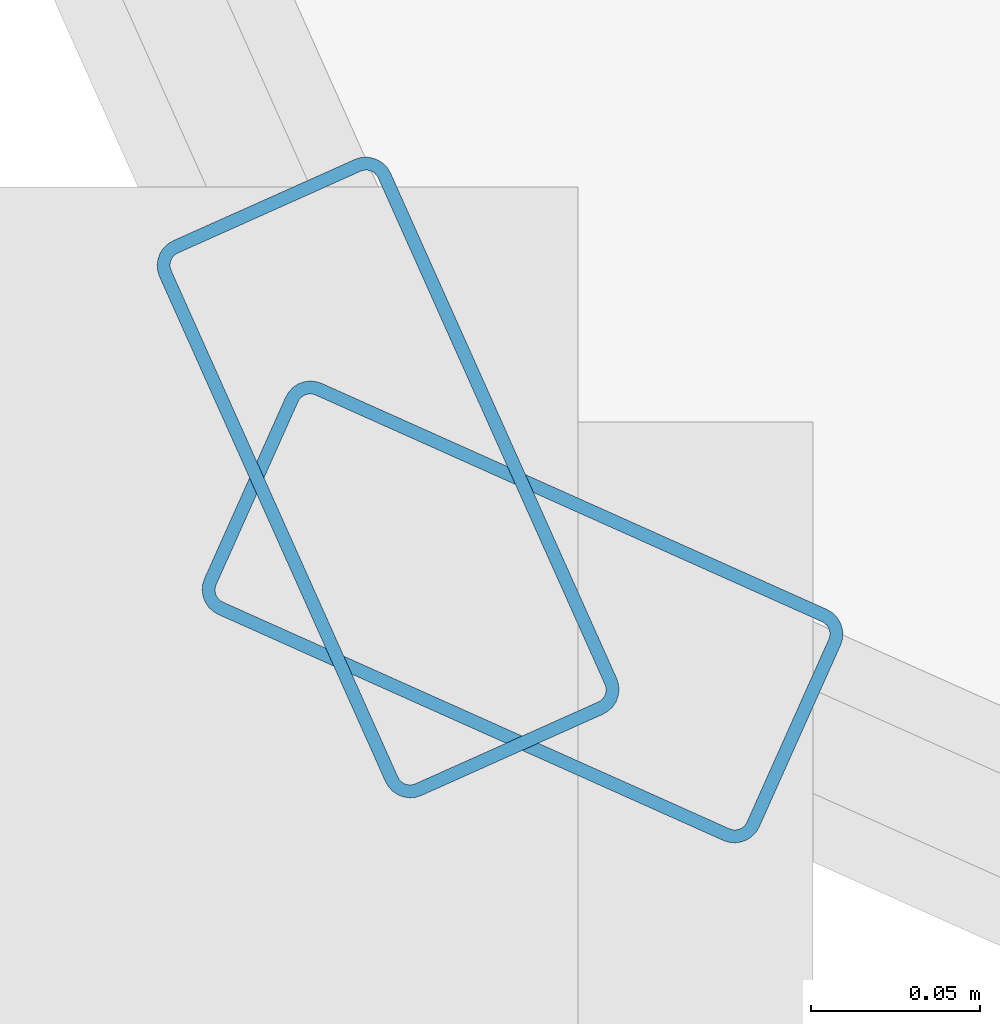
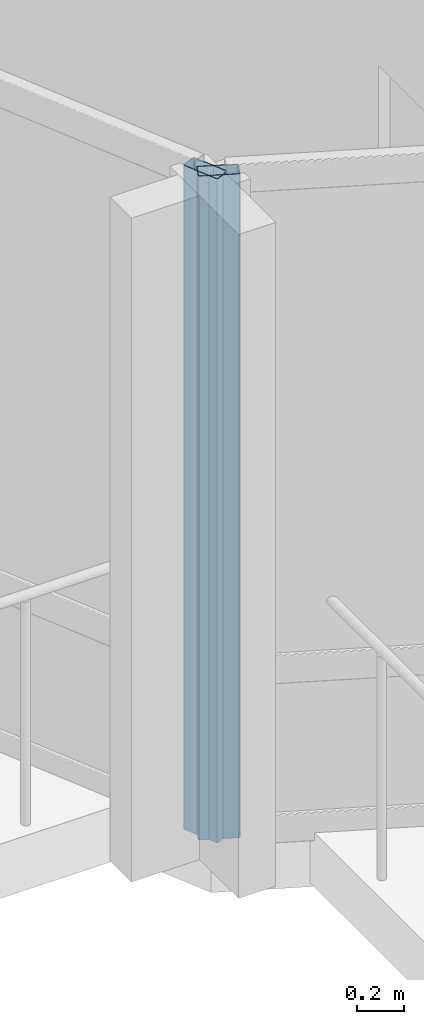
# One storey, part 2 of 19: 2 members, 2 elements without a shape of their own.
"""IFC4 building model written with IfcOpenShell, lengths in metres."""

from ifc_helpers import new_model, si_unit, direction, frame, origin, origin_2d, place, context, subcontext, project, spatial, hollow_rectangle, extrude, material, layer, layer_set, material_profile, profile_set, type_object, element, aggregate, save


model = new_model("IFC4")

# Units and contexts
model_context = context("Model", 3, precision=1e-05, world=origin(), true_north=direction((0.0, 1.0)))
body_context = subcontext(model_context, "Body", "Model", "MODEL_VIEW")
ifc_project = project(units=[si_unit("LENGTHUNIT", "METRE"), si_unit("AREAUNIT", "SQUARE_METRE"), si_unit("VOLUMEUNIT", "CUBIC_METRE"), si_unit("PLANEANGLEUNIT", "RADIAN"), si_unit("MASSUNIT", "GRAM", prefix="KILO")], contexts=[model_context])

# Site, building, storey
site_placement = place(None, origin())
site = spatial("IfcSite", under=ifc_project, at=site_placement, CompositionType="ELEMENT")
building_placement = place(site_placement, origin())
building = spatial("IfcBuilding", under=site, at=building_placement, Name="Solvaryn Broadcast Tower", CompositionType="ELEMENT")
storey_placement = place(building_placement, frame((0.0, 0.0, 270.39990234375)))
storey = spatial("IfcBuildingStorey", under=building, at=storey_placement, Name="L68", CompositionType="ELEMENT", Elevation=270.39990234375)

# Curtain wall, member
ifc_material_1 = material(Name="Aluminium and Terracotta Unitised Curtain Wall", Category="masonry")
ifc_layer = layer(ifc_material_1, 0.199951171875)
ifc_layer_set = layer_set([ifc_layer], Name="CW-SYS2-LOWMID")
curtain_wall_type = type_object("IfcCurtainWallType", Name="CW-SYS2-LOWMID", PredefinedType="NOTDEFINED", material=ifc_layer_set)
curtain_wall_1_placement = place(storey_placement, origin())
curtain_wall_1 = element("IfcCurtainWall", 1, at=curtain_wall_1_placement, inside=storey, type_object=curtain_wall_type, Name="L68 Curtain Wall DR2", PredefinedType="NOTDEFINED")
ifc_material_2 = material(Name="Anodised Aluminium 6063-T6", Category="aluminium")
ifc_material_profile = material_profile(ifc_material_2, hollow_rectangle(XDim=0.074951171875, YDim=0.179931640625, WallThickness=0.00390625, InnerFilletRadius=0.00390625, OuterFilletRadius=0.008056640625, at=origin_2d()))
ifc_profile_set = profile_set([ifc_material_profile], Name="Anodised Aluminium 6063-T6")
member_type = type_object("IfcMemberType", Name="CW-MUL-180", PredefinedType="MULLION", material=ifc_profile_set)
member_1_placement = place(storey_placement, frame((10.8046875, 10.844482421875, 0.0), z_axis=(0.0, 0.0, 1.0), x_axis=(0.912773530574, 0.408466010682, 0.0)))
member_1 = element("IfcMember", 2, at=member_1_placement, type_object=member_type, Name="CWS2 mullion 2", PredefinedType="MULLION", context=body_context, shape_type="SweptSolid", body=[
    extrude(hollow_rectangle(XDim=0.074951171875, YDim=0.179931640625, WallThickness=0.00390625, InnerFilletRadius=0.00390625, OuterFilletRadius=0.008056640625, at=origin_2d()), origin(), (0.0, 0.0, 1.0), 3.420166015625),
])
aggregate(curtain_wall_1, [member_1])

curtain_wall_2_placement = place(storey_placement, origin())
curtain_wall_2 = element("IfcCurtainWall", 3, at=curtain_wall_2_placement, inside=storey, type_object=curtain_wall_type, Name="L68 Curtain Wall DR3", PredefinedType="NOTDEFINED")
member_2_placement = place(storey_placement, frame((10.844482421875, 10.8046875, 0.0), z_axis=(0.0, 0.0, 1.0), x_axis=(0.408466010682, 0.912773530574, 0.0)))
member_2 = element("IfcMember", 4, at=member_2_placement, type_object=member_type, Name="CWS2 mullion 1", PredefinedType="MULLION", context=body_context, shape_type="SweptSolid", body=[
    extrude(hollow_rectangle(XDim=0.074951171875, YDim=0.179931640625, WallThickness=0.00390625, InnerFilletRadius=0.00390625, OuterFilletRadius=0.008056640625, at=origin_2d()), origin(), (0.0, 0.0, 1.0), 3.420166015625),
])
aggregate(curtain_wall_2, [member_2])

save(model, "model.ifc")
